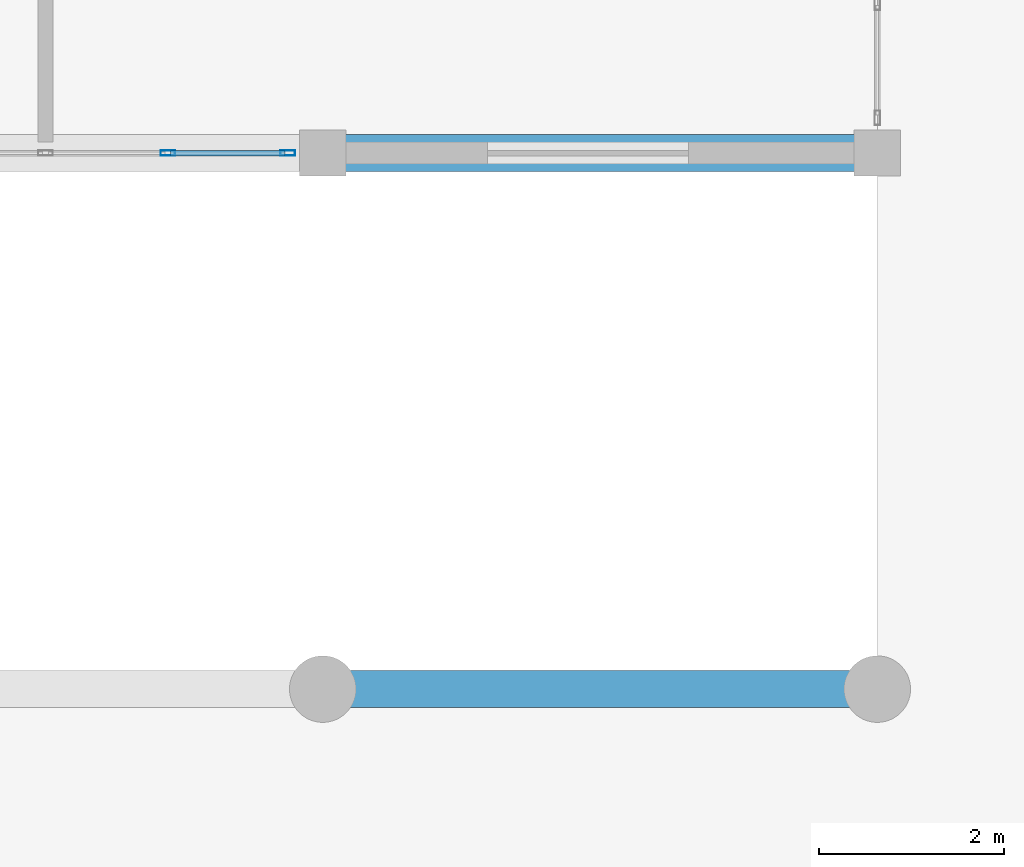
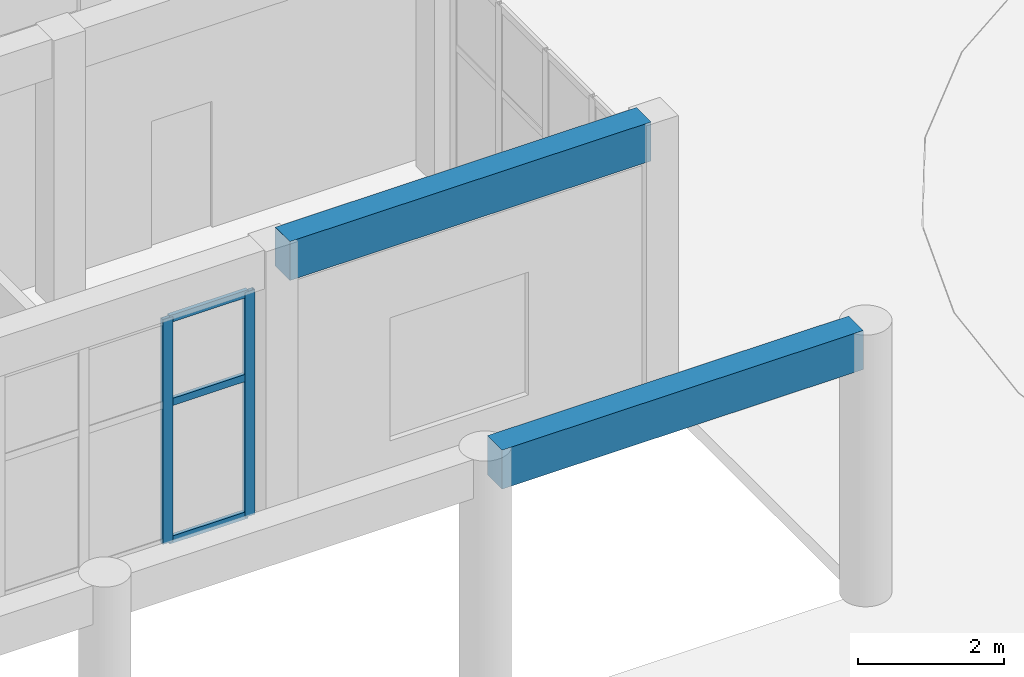
# One storey, part 22 of 132: 5 members, 2 beams, 1 element without a shape of its own.
"""IFC4 building model written with IfcOpenShell, lengths in metres."""

from ifc_helpers import new_model, si_unit, direction, frame, origin, origin_2d, place, context, subcontext, project, spatial, rectangle, hollow_rectangle, extrude, material, material_profile, profile_set, type_object, element, aggregate, save


model = new_model("IFC4")

# Units and contexts
model_context = context("Model", 3, precision=1e-05, world=origin(), true_north=direction((0.0, 1.0)))
body_context = subcontext(model_context, "Body", "Model", "MODEL_VIEW")
ifc_project = project(units=[si_unit("LENGTHUNIT", "METRE"), si_unit("AREAUNIT", "SQUARE_METRE"), si_unit("VOLUMEUNIT", "CUBIC_METRE"), si_unit("PLANEANGLEUNIT", "RADIAN"), si_unit("MASSUNIT", "GRAM", prefix="KILO")], contexts=[model_context])

# Site, building, storey
site_placement = place(None, origin())
site = spatial("IfcSite", under=ifc_project, at=site_placement, CompositionType="ELEMENT")
building_placement = place(site_placement, origin())
building = spatial("IfcBuilding", under=site, at=building_placement, Name="Tanwirah Colonnade Gardens", CompositionType="ELEMENT")
storey_placement = place(building_placement, origin())
storey = spatial("IfcBuildingStorey", under=building, at=storey_placement, Name="L00", CompositionType="ELEMENT", Elevation=0.0)

# Beams
ifc_material_1 = material(Name="Precast concrete C45/55", Category="concrete")
ifc_material_profile_1 = material_profile(ifc_material_1, rectangle(XDim=0.39990234375, YDim=0.64990234375, at=origin_2d()), Name="PC-BM 400x650")
ifc_profile_set_1 = profile_set([ifc_material_profile_1], Name="Precast concrete C45/55")
beam_type = type_object("IfcBeamType", Name="BM-PC400", PredefinedType="BEAM", material=ifc_profile_set_1)
for number, where, z_axis, x_axis, name in (
    (1, (114.14990234375, 10.800048828125, 4.205078125), (1.0, 0.0, 0.0), (0.0, 1.0, 0.0), "Boulevard Shops E L00 Beam 2.0"),
    (2, (114.14990234375, 16.60009765625, 4.1650390625), (1.0, 0.0, 0.0), (0.0, 1.0, 0.0), "Boulevard Shops E L00 Beam 2.1"),
):
    element("IfcBeam", number, at=place(storey_placement, frame(where, z_axis=z_axis, x_axis=x_axis)), inside=storey, type_object=beam_type, Name=name, PredefinedType="BEAM", context=body_context, shape_type="SweptSolid", body=[
        extrude(rectangle(XDim=0.39990234375, YDim=0.64990234375, at=origin_2d()), origin(), (0.0, 0.0, 1.0), 5.7001953125),
    ])

# Curtain wall, members
ifc_material_2 = material(Name="Bronze-anodised aluminium and solar-control low-E glass", Category="aluminium")
curtain_wall_type = type_object("IfcCurtainWallType", Name="CW-SHP", PredefinedType="NOTDEFINED", material=ifc_material_2)
curtain_wall_placement = place(storey_placement, origin())
curtain_wall = element("IfcCurtainWall", 3, at=curtain_wall_placement, inside=storey, type_object=curtain_wall_type, Name="Curtain Wall CW-SHP-E-L00-S-1", PredefinedType="NOTDEFINED")
ifc_material_3 = material(Name="Bronze-anodised aluminium", Category="aluminium")
ifc_material_profile_2 = material_profile(ifc_material_3, hollow_rectangle(XDim=0.06005859375, YDim=0.159912109375, WallThickness=0.00390625, at=origin_2d()), Name="CW-MUL 60x160x4")
ifc_profile_set_2 = profile_set([ifc_material_profile_2], Name="Bronze-anodised aluminium")
member_type_1 = type_object("IfcMemberType", Name="CWM-60x160", PredefinedType="MULLION", material=ifc_profile_set_2)
member_1_placement = place(storey_placement, frame((112.324951171875, 16.60009765625, 0.0), z_axis=(0.0, 0.0, 1.0), x_axis=(0.0, 1.0, 0.0)))
member_1 = element("IfcMember", 4, at=member_1_placement, type_object=member_type_1, Name="CW-SHP mullion 4", PredefinedType="MULLION", context=body_context, shape_type="SweptSolid", body=[
    extrude(hollow_rectangle(XDim=0.06005859375, YDim=0.159912109375, WallThickness=0.00390625, at=origin_2d()), origin(), (0.0, 0.0, 1.0), 3.75),
])
member_2_placement = place(storey_placement, frame((113.6201171875, 16.60009765625, 0.0), z_axis=(0.0, 0.0, 1.0), x_axis=(0.0, 1.0, 0.0)))
member_2 = element("IfcMember", 5, at=member_2_placement, type_object=member_type_1, Name="CW-SHP mullion 5", PredefinedType="MULLION", context=body_context, shape_type="SweptSolid", body=[
    extrude(hollow_rectangle(XDim=0.06005859375, YDim=0.159912109375, WallThickness=0.00390625, at=origin_2d()), origin(), (0.0, 0.0, 1.0), 3.75),
])
ifc_material_profile_3 = material_profile(ifc_material_3, hollow_rectangle(XDim=0.06005859375, YDim=0.1201171875, WallThickness=0.00390625, at=origin_2d()), Name="CW-TRN 60x120x4")
ifc_profile_set_3 = profile_set([ifc_material_profile_3], Name="Bronze-anodised aluminium")
member_type_2 = type_object("IfcMemberType", Name="CWT-60x120", PredefinedType="USERDEFINED", material=ifc_profile_set_3)
member_3_placement = place(storey_placement, frame((112.35498046875, 16.60009765625, 0.030029296875), z_axis=(1.0, 0.0, 0.0), x_axis=(0.0, 1.0, 0.0)))
member_3 = element("IfcMember", 6, at=member_3_placement, type_object=member_type_2, Name="CW-SHP transom 4.1", ObjectType="TRANSOM", PredefinedType="USERDEFINED", context=body_context, shape_type="SweptSolid", body=[
    extrude(hollow_rectangle(XDim=0.06005859375, YDim=0.1201171875, WallThickness=0.00390625, at=origin_2d()), origin(), (0.0, 0.0, 1.0), 1.235107421875),
])
member_4_placement = place(storey_placement, frame((112.35498046875, 16.60009765625, 2.324951171875), z_axis=(1.0, 0.0, 0.0), x_axis=(0.0, 1.0, 0.0)))
member_4 = element("IfcMember", 7, at=member_4_placement, type_object=member_type_2, Name="CW-SHP transom 4.2", ObjectType="TRANSOM", PredefinedType="USERDEFINED", context=body_context, shape_type="SweptSolid", body=[
    extrude(hollow_rectangle(XDim=0.06005859375, YDim=0.1201171875, WallThickness=0.00390625, at=origin_2d()), origin(), (0.0, 0.0, 1.0), 1.235107421875),
])
member_5_placement = place(storey_placement, frame((112.35498046875, 16.60009765625, 3.719970703125), z_axis=(1.0, 0.0, 0.0), x_axis=(0.0, 1.0, 0.0)))
member_5 = element("IfcMember", 8, at=member_5_placement, type_object=member_type_2, Name="CW-SHP transom 4.3", ObjectType="TRANSOM", PredefinedType="USERDEFINED", context=body_context, shape_type="SweptSolid", body=[
    extrude(hollow_rectangle(XDim=0.06005859375, YDim=0.1201171875, WallThickness=0.00390625, at=origin_2d()), origin(), (0.0, 0.0, 1.0), 1.235107421875),
])
aggregate(curtain_wall, [member_1, member_2, member_3, member_4, member_5])

save(model, "model.ifc")
